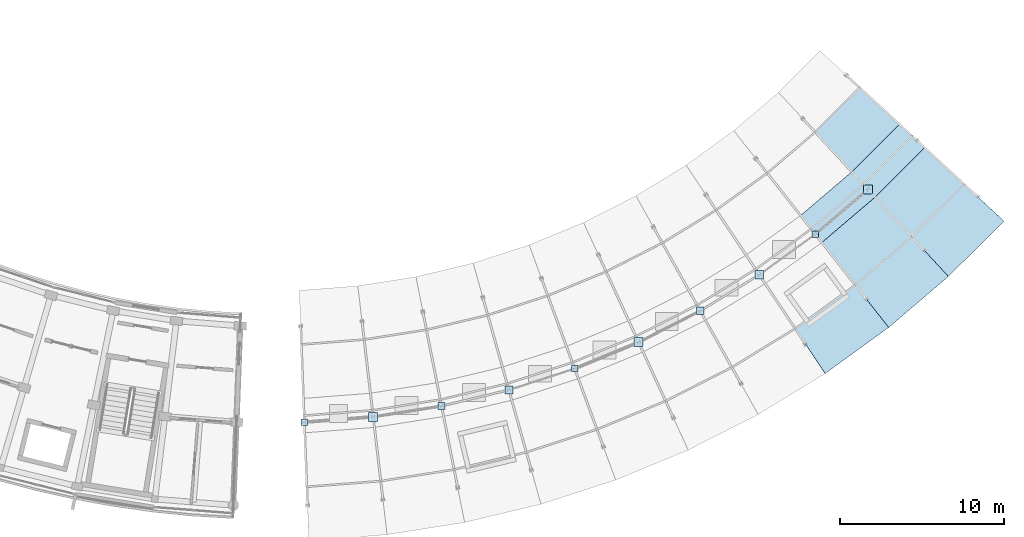
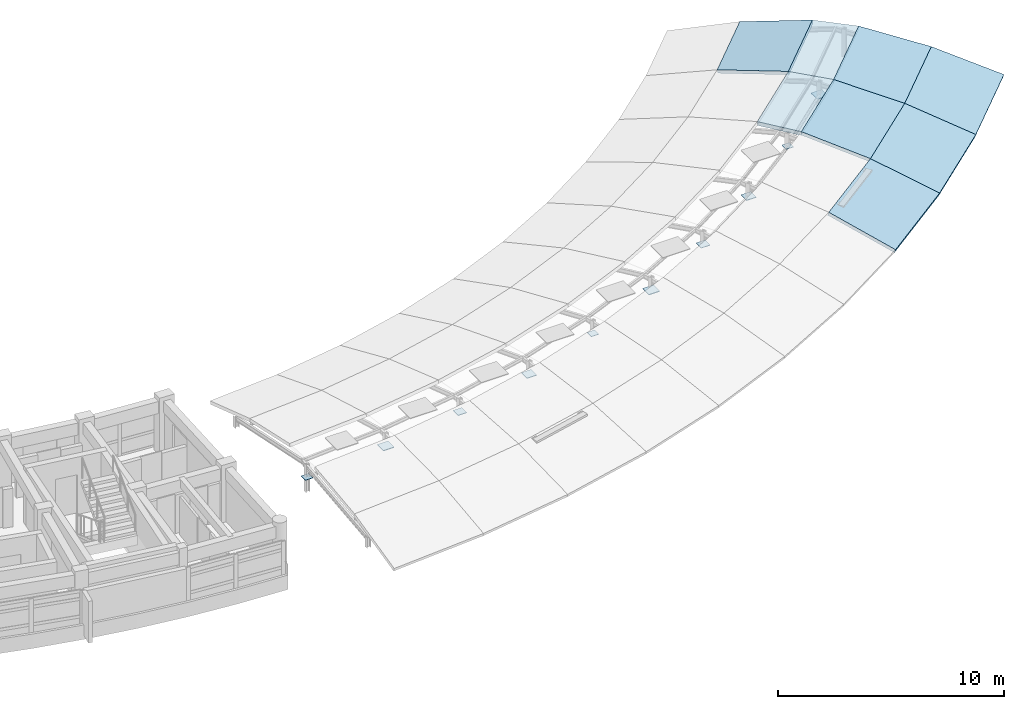
# One storey, part 29 of 50: 10 plates, 8 slabs.
"""IFC4 building model written with IfcOpenShell, lengths in metres."""

from ifc_helpers import new_model, si_unit, direction, frame, origin, origin_2d, place, context, subcontext, project, spatial, polyline, rectangle, outline, extrude, material, layer, layer_set, type_object, element, save


model = new_model("IFC4")

# Units and contexts
model_context = context("Model", 3, precision=1e-05, world=origin(), true_north=direction((0.0, 1.0)))
body_context = subcontext(model_context, "Body", "Model", "MODEL_VIEW")
ifc_project = project(units=[si_unit("LENGTHUNIT", "METRE"), si_unit("AREAUNIT", "SQUARE_METRE"), si_unit("VOLUMEUNIT", "CUBIC_METRE"), si_unit("PLANEANGLEUNIT", "RADIAN"), si_unit("MASSUNIT", "GRAM", prefix="KILO")], contexts=[model_context])

# Site, building, storey
site_placement = place(None, origin())
site = spatial("IfcSite", under=ifc_project, at=site_placement, CompositionType="ELEMENT")
building_placement = place(site_placement, origin())
building = spatial("IfcBuilding", under=site, at=building_placement, Name="Zimvara Arc Housing Community", CompositionType="ELEMENT")
storey_placement = place(building_placement, frame((0.0, 0.0, 26.699951171875)))
storey = spatial("IfcBuildingStorey", under=building, at=storey_placement, Name="L08", CompositionType="ELEMENT", Elevation=26.699951171875)

# Plates
ifc_material_1 = material(Name="Steel S355", Category="steel")
ifc_layer_1 = layer(ifc_material_1, 0.02490234375)
ifc_layer_set_1 = layer_set([ifc_layer_1], Name="Steel S355")
plate_type_1 = type_object("IfcPlateType", Name="PLT-CONN-01", PredefinedType="SHEET", material=ifc_layer_set_1)
for number, where, z_axis, x_axis, name in (
    (1, (136.429931640625, 57.084716796875, 0.757568359375), (0.0, 0.0, 1.0), (1.0, 0.0, 0.0), "plate:brace_end:033"),
    (2, (152.226806640625, 62.896728515625, 0.757568359375), (0.0, 0.0, 1.0), (1.0, 0.0, 0.0), "plate:brace_end:037"),
):
    element("IfcPlate", number, at=place(storey_placement, frame(where, z_axis=z_axis, x_axis=x_axis)), inside=storey, type_object=plate_type_1, Name=name, PredefinedType="SHEET", context=body_context, shape_type="SweptSolid", body=[
        extrude(rectangle(XDim=0.449951171875, YDim=0.449951171875, at=origin_2d()), origin(), (0.0, 0.0, 1.0), 0.02490234375),
    ])
ifc_material_2 = material(Name="Steel S355", Category="steel")
ifc_layer_2 = layer(ifc_material_2, 0.030029296875)
ifc_layer_set_2 = layer_set([ifc_layer_2], Name="Steel S355")
plate_type_2 = type_object("IfcPlateType", Name="PLT-CONN-02", PredefinedType="SHEET", material=ifc_layer_set_2)
for number, where, z_axis, x_axis, name in (
    (3, (140.538330078125, 58.067138671875, 0.7548828125), (0.0, 0.0, 1.0), (1.0, 0.0, 0.0), "plate:brace_end:034"),
    (4, (155.83056640625, 65.100830078125, 0.7548828125), (0.0, 0.0, 1.0), (1.0, 0.0, 0.0), "plate:brace_end:038"),
):
    element("IfcPlate", number, at=place(storey_placement, frame(where, z_axis=z_axis, x_axis=x_axis)), inside=storey, type_object=plate_type_2, Name=name, PredefinedType="SHEET", context=body_context, shape_type="SweptSolid", body=[
        extrude(rectangle(XDim=0.5, YDim=0.5, at=origin_2d()), origin(), (0.0, 0.0, 1.0), 0.030029296875),
    ])
ifc_material_3 = material(Name="Steel S355", Category="steel")
ifc_layer_3 = layer(ifc_material_3, 0.02197265625)
ifc_layer_set_3 = layer_set([ifc_layer_3], Name="Steel S355")
plate_type_3 = type_object("IfcPlateType", Name="PLT-CONN-03", PredefinedType="SHEET", material=ifc_layer_set_3)
for number, where, z_axis, x_axis, name in (
    (5, (128.045166015625, 56.099609375, 0.759033203125), (0.0, 0.0, 1.0), (1.0, 0.0, 0.0), "plate:brace_end:031"),
    (6, (144.55712890625, 59.369140625, 0.759033203125), (0.0, 0.0, 1.0), (1.0, 0.0, 0.0), "plate:brace_end:035"),
    (7, (159.25048828125, 67.580810546875, 0.759033203125), (0.0, 0.0, 1.0), (1.0, 0.0, 0.0), "plate:brace_end:039"),
):
    element("IfcPlate", number, at=place(storey_placement, frame(where, z_axis=z_axis, x_axis=x_axis)), inside=storey, type_object=plate_type_3, Name=name, PredefinedType="SHEET", context=body_context, shape_type="SweptSolid", body=[
        extrude(rectangle(XDim=0.3798828125, YDim=0.3798828125, at=origin_2d()), origin(), (0.0, 0.0, 1.0), 0.02197265625),
    ])
ifc_material_4 = material(Name="Steel S355", Category="steel")
ifc_layer_4 = layer(ifc_material_4, 0.034912109375)
ifc_layer_set_4 = layer_set([ifc_layer_4], Name="Steel S355")
plate_type_4 = type_object("IfcPlateType", Name="PLT-CONN-04", PredefinedType="SHEET", material=ifc_layer_set_4)
for number, where, z_axis, x_axis, name in (
    (8, (132.2568359375, 56.427490234375, 0.75244140625), (0.0, 0.0, 1.0), (1.0, 0.0, 0.0), "plate:brace_end:032"),
    (9, (148.461181640625, 60.982177734375, 0.75244140625), (0.0, 0.0, 1.0), (1.0, 0.0, 0.0), "plate:brace_end:036"),
    (10, (162.465087890625, 70.321533203125, 0.75244140625), (0.0, 0.0, 1.0), (1.0, 0.0, 0.0), "plate:brace_end:040"),
):
    element("IfcPlate", number, at=place(storey_placement, frame(where, z_axis=z_axis, x_axis=x_axis)), inside=storey, type_object=plate_type_4, Name=name, PredefinedType="SHEET", context=body_context, shape_type="SweptSolid", body=[
        extrude(rectangle(XDim=0.550048828125, YDim=0.550048828125, at=origin_2d()), origin(), (0.0, 0.0, 1.0), 0.034912109375),
    ])

# Slabs
ifc_material_5 = material(Name="Concrete C40/50", Category="concrete")
ifc_layer_5 = layer(ifc_material_5, 0.179931640625)
ifc_layer_set_5 = layer_set([ifc_layer_5], Name="Concrete C40/50")
slab_type_1 = type_object("IfcSlabType", Name="SLB-BRL-ROOF-180", PredefinedType="ROOF", material=ifc_layer_set_5)
slab_1_placement = place(storey_placement, frame((163.73388671875, 61.883544921875, 0.1201171875), z_axis=(0.170377174048, -0.234929403106, 0.956963841595), x_axis=(-0.80951164796, -0.587103816869, -5.896064e-06)))
element("IfcSlab", 11, at=slab_1_placement, inside=storey, type_object=slab_type_1, Name="roof:blkD:out2:b7:t0", PredefinedType="ROOF", context=body_context, shape_type="SweptSolid", body=[
    extrude(outline(polyline([(0.0, 0.0), (4.793779405564388, 4.440892098500626e-16), (4.664078156762614, -3.445908914035967), (0.12950853814255972, -3.445719392383567), (0.0, 0.0)])), origin(), (0.0, 0.0, -1.0), 0.179931640625),
])
slab_2_placement = place(storey_placement, frame((167.381591796875, 64.993408203125, 0.1201171875), z_axis=(0.188284455491, -0.220847609465, 0.956961492022), x_axis=(-0.760979627975, -0.648775774677, 5.8495e-08)))
element("IfcSlab", 12, at=slab_2_placement, inside=storey, type_object=slab_type_1, Name="roof:blkD:out2:b8:t0", PredefinedType="ROOF", context=body_context, shape_type="SweptSolid", body=[
    extrude(outline(polyline([(0.0, 0.0), (4.793433212744895, 0.0), (4.6639734156803465, -3.4457212241149553), (0.12944359472090616, -3.445723104232372), (0.0, 0.0)])), origin(), (0.0, 0.0, -1.0), 0.179931640625),
])
slab_3_placement = place(storey_placement, frame((165.143798828125, 67.418701171875, 1.1201171875), z_axis=(0.11611670975, -0.136193612239, 0.983853754225), x_axis=(-0.760978979861, -0.648776534872, 3.207296e-06)))
element("IfcSlab", 13, at=slab_3_placement, inside=storey, type_object=slab_type_1, Name="roof:blkD:out1:b8:t0", PredefinedType="ROOF", context=body_context, shape_type="SweptSolid", body=[
    extrude(outline(polyline([(0.0, 0.0), (4.534529820935745, 4.440892098500626e-16), (4.405068595245692, -3.3515397393443402), (0.12962795197572888, -3.35169761781452), (0.0, 0.0)])), origin(), (0.0, 0.0, -1.0), 0.179931640625),
])
slab_4_placement = place(storey_placement, frame((159.24365234375, 73.8125, 1.1201171875), z_axis=(-0.126439245064, 0.126664245457, 0.983854301322), x_axis=(0.707740219473, 0.706472774945, 1.31938e-06)))
element("IfcSlab", 14, at=slab_4_placement, inside=storey, type_object=slab_type_1, Name="roof:blkD:in2:b9:t0", PredefinedType="ROOF", context=body_context, shape_type="SweptSolid", body=[
    extrude(outline(polyline([(0.0, 0.0), (3.851454742963551, 2.220446049250313e-16), (3.981123877084024, -3.3516456529192618), (-0.12945378727430637, -3.35170434918552), (0.0, 0.0)])), origin(), (0.0, 0.0, -1.0), 0.179931640625),
])
slab_5_placement = place(storey_placement, frame((170.774169921875, 68.380126953125, 0.1201171875), z_axis=(0.205035307622, -0.205384704679, 0.956962719082), x_axis=(-0.707716899383, -0.706496136093, 3.607148e-06)))
element("IfcSlab", 15, at=slab_5_placement, inside=storey, type_object=slab_type_1, Name="roof:blkD:out2:b9:t0", PredefinedType="ROOF", context=body_context, shape_type="SweptSolid", body=[
    extrude(outline(polyline([(0.0, 0.0), (4.793688582449175, -8.881784197001252e-16), (4.663955979584827, -3.4457122350368556), (0.12956310280116948, -3.4458281775157014), (0.0, 0.0)])), origin(), (0.0, 0.0, -1.0), 0.179931640625),
])
slab_6_placement = place(storey_placement, frame((168.352783203125, 70.622314453125, 1.1201171875), z_axis=(0.126445835808, -0.126664068207, 0.983853477115), x_axis=(-0.707699351934, -0.706513713422, -4.335127e-06)))
element("IfcSlab", 16, at=slab_6_placement, inside=storey, type_object=slab_type_1, Name="roof:blkD:out1:b9:t0", PredefinedType="ROOF", context=body_context, shape_type="SweptSolid", body=[
    extrude(outline(polyline([(0.0, 0.0), (4.534392878257942, 0.0), (4.40474494823961, -3.351696845070902), (0.1293022162260605, -3.3514834544502135), (0.0, 0.0)])), origin(), (0.0, 0.0, -1.0), 0.179931640625),
])
ifc_material_6 = material(Name="Concrete C40/50", Category="concrete")
ifc_layer_6 = layer(ifc_material_6, 0.205078125)
ifc_layer_set_6 = layer_set([ifc_layer_6], Name="Concrete C40/50")
slab_type_2 = type_object("IfcSlabType", Name="SLB-CURB-ROOF-205", PredefinedType="ROOF", material=ifc_layer_set_6)
slab_7_placement = place(storey_placement, frame((0.0, 0.0, 1.51513671875)))
element("IfcSlab", 17, at=slab_7_placement, inside=storey, type_object=slab_type_2, Name="roof:blkD:curb:b8", PredefinedType="ROOF", context=body_context, shape_type="SweptSolid", body=[
    extrude(outline(polyline([(159.65234375, 67.070068359375), (162.90576171875, 69.843994140625), (161.481689453125, 71.38720703125), (158.353759765625, 68.720458984375), (159.65234375, 67.070068359375)])), origin(), (0.0, 0.0, 1.0), 0.204833984375),
])
slab_8_placement = place(storey_placement, frame((0.0, 0.0, 1.51513671875)))
element("IfcSlab", 18, at=slab_8_placement, inside=storey, type_object=slab_type_2, Name="roof:blkD:curb:b9", PredefinedType="ROOF", context=body_context, shape_type="SweptSolid", body=[
    extrude(outline(polyline([(162.90576171875, 69.843994140625), (165.931640625, 72.864501953125), (164.390869140625, 74.291259765625), (161.481689453125, 71.38720703125), (162.90576171875, 69.843994140625)])), origin(), (0.0, 0.0, 1.0), 0.204833984375),
])

save(model, "model.ifc")
